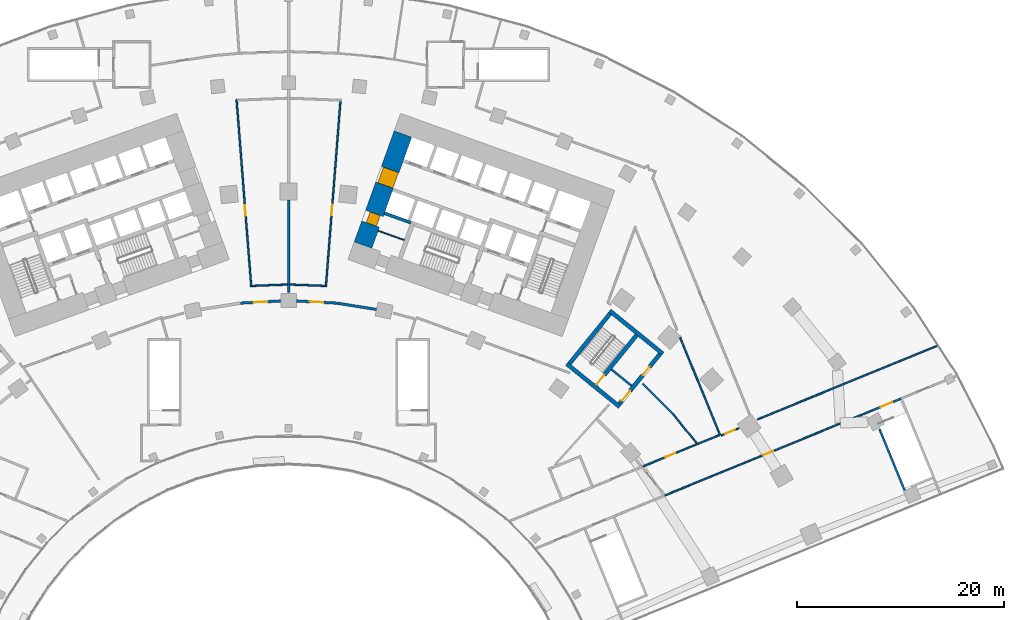
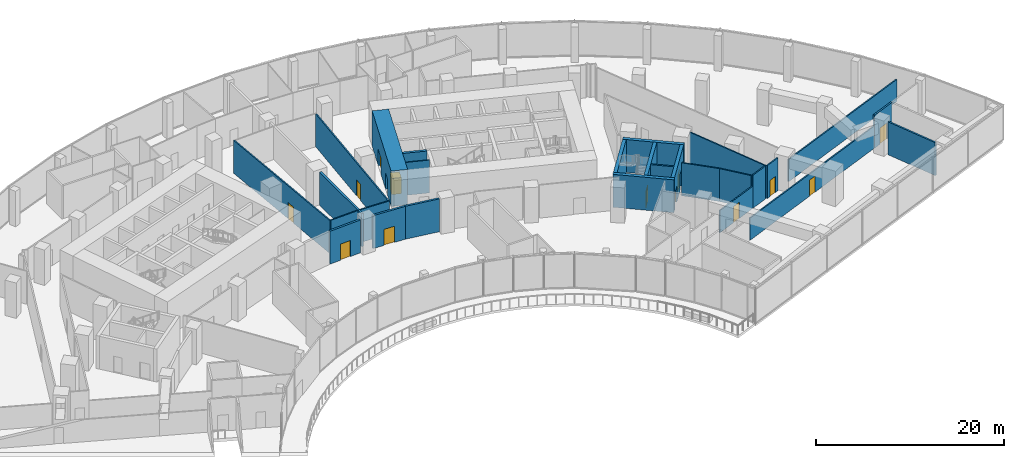
# One storey, part 26 of 33: 28 walls, 13 doors, 13 openings.
"""IFC4 building model written with IfcOpenShell, lengths in metres."""

from ifc_helpers import new_model, si_unit, direction, frame, frame_2d, origin, place, context, subcontext, project, spatial, rectangle, extrude, material, layer, layer_set, type_object, element, fill, save


model = new_model("IFC4")

# Units and contexts
model_context = context("Model", 3, precision=1e-05, world=origin(), true_north=direction((0.0, 1.0)))
body_context = subcontext(model_context, "Body", "Model", "MODEL_VIEW")
ifc_project = project(units=[si_unit("LENGTHUNIT", "METRE"), si_unit("AREAUNIT", "SQUARE_METRE"), si_unit("VOLUMEUNIT", "CUBIC_METRE"), si_unit("PLANEANGLEUNIT", "RADIAN"), si_unit("MASSUNIT", "GRAM", prefix="KILO")], contexts=[model_context])

# Site, building, storey
site_placement = place(None, origin())
site = spatial("IfcSite", under=ifc_project, at=site_placement, CompositionType="ELEMENT")
building_placement = place(site_placement, origin())
building = spatial("IfcBuilding", under=site, at=building_placement, Name="Stone Belt Terrace Tower", CompositionType="ELEMENT")
storey_placement = place(building_placement, frame((0.0, 0.0, 25.39990234375)))
storey = spatial("IfcBuildingStorey", under=building, at=storey_placement, Name="L05", CompositionType="ELEMENT", Elevation=25.39990234375)

# Walls
ifc_material_1 = material(Name="Concrete B30", Category="concrete")
ifc_layer_1 = layer(ifc_material_1, 0.25)
ifc_layer_set_1 = layer_set([ifc_layer_1], Name="Compartment wall 250")
wall_type_1 = type_object("IfcWallType", Name="Compartment wall 250", PredefinedType="SOLIDWALL", material=ifc_layer_set_1)
wall_1_placement = place(storey_placement, frame((0.0, 46.0, 0.0), z_axis=(0.0, 0.0, 1.0), x_axis=(0.0, 1.0, 0.0)))
element("IfcWall", 1, at=wall_1_placement, inside=storey, type_object=wall_type_1, Name="Compartment wall L05 8", PredefinedType="SOLIDWALL", context=body_context, shape_type="SweptSolid", body=[
    extrude(rectangle(XDim=8.155029296875, YDim=0.25, at=frame_2d((4.07763671875, 0.0))), origin(), (0.0, 0.0, 1.0), 4.280029296875),
])
ifc_material_2 = material(Name="Plasterboard partition")
ifc_layer_2 = layer(ifc_material_2, 0.10009765625)
ifc_layer_set_2 = layer_set([ifc_layer_2], Name="Core partition 100")
wall_type_2 = type_object("IfcWallType", Name="Core partition 100", PredefinedType="PARTITIONING", material=ifc_layer_set_2)
wall_2_placement = place(storey_placement, frame((11.187744140625, 50.2822265625, 0.0), z_axis=(0.0, 0.0, 1.0), x_axis=(-0.940949642365, 0.338546555931, 0.0)))
element("IfcWall", 2, at=wall_2_placement, inside=storey, type_object=wall_type_2, Name="Core B wall", PredefinedType="PARTITIONING", context=body_context, shape_type="SweptSolid", body=[
    extrude(rectangle(XDim=2.699951171875, YDim=0.10009765625, at=frame_2d((1.35009765625, 0.0))), origin(), (0.0, 0.0, 1.0), 4.280029296875),
])

# Wall, openings, doors
ifc_material_3 = material(Name="Concrete B80", Category="concrete")
ifc_layer_3 = layer(ifc_material_3, 1.800048828125)
ifc_layer_set_3 = layer_set([ifc_layer_3], Name="Core wall 1800 B80")
wall_type_3 = type_object("IfcWallType", Name="Core wall 1800 B80", PredefinedType="SHEAR", material=ifc_layer_set_3)
wall_3_placement = place(storey_placement, frame((7.19091796875, 49.8076171875, 0.0), z_axis=(0.0, 0.0, 1.0), x_axis=(0.338632255135, 0.940918804033, 0.0)))
wall_3 = element("IfcWall", 3, at=wall_3_placement, inside=storey, type_object=wall_type_3, Name="Core B wall end_a L05", PredefinedType="SHEAR", context=body_context, shape_type="SweptSolid", body=[
    extrude(rectangle(XDim=11.39990234375, YDim=1.800048828125, at=frame_2d((5.699951171875, 0.0))), origin(), (0.0, 0.0, 1.0), 4.60009765625),
])
opening_1_placement = place(wall_3_placement, frame((6.14990234375, 0.0, 0.0)))
opening_1 = element("IfcOpeningElement", 4, at=opening_1_placement, cuts=wall_3, Name="Opening L05-C11", PredefinedType="OPENING", context=body_context, shape_type="SweptSolid", body=[
    extrude(rectangle(XDim=1.60009765625, YDim=2.10009765625, at=frame_2d((0.800048828125, 1.050048828125))), frame((0.0, 0.909912109375, 0.0), z_axis=(0.0, -1.0, 0.0), x_axis=(1.0, 0.0, 0.0)), (0.0, 0.0, 1.0), 1.820068359375),
])
opening_2_placement = place(wall_3_placement, frame((2.14990234375, 0.0, 0.0)))
opening_2 = element("IfcOpeningElement", 5, at=opening_2_placement, cuts=wall_3, Name="Opening L05-C17", PredefinedType="OPENING", context=body_context, shape_type="SweptSolid", body=[
    extrude(rectangle(XDim=1.10009765625, YDim=2.10009765625, at=frame_2d((0.550048828125, 1.050048828125))), frame((0.0, 0.909912109375, 0.0), z_axis=(0.0, -1.0, 0.0), x_axis=(1.0, 0.0, 0.0)), (0.0, 0.0, 1.0), 1.820068359375),
])
ifc_material_4 = material(Name="Timber door leaf", Category="wood")
door_type_1 = type_object("IfcDoorType", Name="Core room door 1100", OperationType="SINGLE_SWING_LEFT", PredefinedType="DOOR", material=ifc_material_4)
door_1_placement = place(opening_2_placement, origin())
door_1 = element("IfcDoor", 6, at=door_1_placement, inside=storey, type_object=door_type_1, Name="Door to Accessible WC core B", OperationType="SINGLE_SWING_RIGHT", OverallHeight=2.10009765625, OverallWidth=1.10009765625, PredefinedType="DOOR", context=body_context, shape_type="SweptSolid", body=[
    extrude(rectangle(XDim=1.10009765625, YDim=2.10009765625, at=frame_2d((0.550048828125, 1.050048828125))), frame((0.0, 0.44482421875, 0.0), z_axis=(0.0, -1.0, 0.0), x_axis=(1.0, 0.0, 0.0)), (0.0, 0.0, 1.0), 1.050048828125),
])
fill(opening_2, door_1)
ifc_material_5 = material(Name="Glazed aluminium door leaf", Category="aluminium")
door_type_2 = type_object("IfcDoorType", Name="Lift lobby entrance door 1600", OperationType="DOUBLE_DOOR_SINGLE_SWING", PredefinedType="DOOR", material=ifc_material_5)
door_2_placement = place(opening_1_placement, origin())
door_2 = element("IfcDoor", 7, at=door_2_placement, inside=storey, type_object=door_type_2, Name="Lift lobby entrance door core B", OperationType="DOUBLE_DOOR_SINGLE_SWING", OverallHeight=2.10009765625, OverallWidth=1.60009765625, PredefinedType="DOOR", context=body_context, shape_type="SweptSolid", body=[
    extrude(rectangle(XDim=1.60009765625, YDim=2.10009765625, at=frame_2d((0.800048828125, 1.050048828125))), frame((0.0, 0.69482421875, 0.0), z_axis=(0.0, -1.0, 0.0), x_axis=(1.0, 0.0, 0.0)), (0.0, 0.0, 1.0), 1.550048828125),
])
fill(opening_1, door_2)

# Wall, opening, door
ifc_material_6 = material(Name="Fire-resistant glazing in steel frame", Category="steel")
ifc_layer_4 = layer(ifc_material_6, 0.25)
ifc_layer_set_4 = layer_set([ifc_layer_4], Name="Glazed compartment fire screen 250")
wall_type_4 = type_object("IfcWallType", Name="Glazed compartment fire screen 250", PredefinedType="PARTITIONING", material=ifc_layer_set_4)
wall_4_placement = place(storey_placement, frame((-4.6435546875, 44.2001953125, 0.0), z_axis=(0.0, 0.0, 1.0), x_axis=(0.998555259213, 0.053734479607, 0.0)))
wall_4 = element("IfcWall", 8, at=wall_4_placement, inside=storey, type_object=wall_type_4, Name="Compartment fire screen L05 5", PredefinedType="PARTITIONING", context=body_context, shape_type="SweptSolid", body=[
    extrude(rectangle(XDim=3.880126953125, YDim=0.25, at=frame_2d((1.93994140625, 0.0))), origin(), (0.0, 0.0, 1.0), 4.280029296875),
])
opening_3_placement = place(wall_4_placement, frame((1.2900390625, 0.0, 0.0)))
opening_3 = element("IfcOpeningElement", 9, at=opening_3_placement, cuts=wall_4, Name="Opening L05-P36", PredefinedType="OPENING", context=body_context, shape_type="SweptSolid", body=[
    extrude(rectangle(XDim=1.300048828125, YDim=2.10009765625, at=frame_2d((0.64990234375, 1.050048828125))), frame((0.0, 0.135009765625, 0.0), z_axis=(0.0, -1.0, 0.0), x_axis=(1.0, 0.0, 0.0)), (0.0, 0.0, 1.0), 0.27001953125),
])
ifc_material_7 = material(Name="Steel framed fire door leaf", Category="steel")
door_type_3 = type_object("IfcDoorType", Name="Fire door 1300 x 2100 EI 60", OperationType="SINGLE_SWING_LEFT", PredefinedType="DOOR", material=ifc_material_7)
door_3_placement = place(opening_3_placement, origin())
door_3 = element("IfcDoor", 10, at=door_3_placement, inside=storey, type_object=door_type_3, Name="Fire door 1300 x 2100 EI 60", OperationType="SINGLE_SWING_LEFT", OverallHeight=2.10009765625, OverallWidth=1.300048828125, PredefinedType="DOOR", context=body_context, shape_type="SweptSolid", body=[
    extrude(rectangle(XDim=1.300048828125, YDim=2.10009765625, at=frame_2d((0.64990234375, 1.050048828125))), frame((0.0, 0.02490234375, 0.0), z_axis=(0.0, -1.0, 0.0), x_axis=(1.0, 0.0, 0.0)), (0.0, 0.0, 1.0), 0.050048828125),
])
fill(opening_3, door_3)

# Wall
wall_5_placement = place(storey_placement, frame((0.0, 45.215087890625, 0.0), z_axis=(0.0, 0.0, 1.0), x_axis=(0.0, 1.0, 0.0)))
element("IfcWall", 11, at=wall_5_placement, inside=storey, type_object=wall_type_4, Name="Compartment fire screen L05 6", PredefinedType="PARTITIONING", context=body_context, shape_type="SweptSolid", body=[
    extrude(rectangle(XDim=0.784912109375, YDim=0.25, at=frame_2d((0.392578125, 0.0))), origin(), (0.0, 0.0, 1.0), 4.280029296875),
])

# Wall, opening, door
wall_6_placement = place(storey_placement, frame((0.76904296875, 44.40869140625, 0.0), z_axis=(0.0, 0.0, 1.0), x_axis=(0.998555259213, -0.053734479607, 0.0)))
wall_6 = element("IfcWall", 12, at=wall_6_placement, inside=storey, type_object=wall_type_4, Name="Compartment fire screen L05 7", PredefinedType="PARTITIONING", context=body_context, shape_type="SweptSolid", body=[
    extrude(rectangle(XDim=3.880126953125, YDim=0.25, at=frame_2d((1.93994140625, 0.0))), origin(), (0.0, 0.0, 1.0), 4.280029296875),
])
opening_4_placement = place(wall_6_placement, frame((1.2900390625, 0.0, 0.0)))
opening_4 = element("IfcOpeningElement", 13, at=opening_4_placement, cuts=wall_6, Name="Opening L05-P35", PredefinedType="OPENING", context=body_context, shape_type="SweptSolid", body=[
    extrude(rectangle(XDim=1.300048828125, YDim=2.10009765625, at=frame_2d((0.64990234375, 1.050048828125))), frame((0.0, 0.135009765625, 0.0), z_axis=(0.0, -1.0, 0.0), x_axis=(1.0, 0.0, 0.0)), (0.0, 0.0, 1.0), 0.27001953125),
])
door_4_placement = place(opening_4_placement, origin())
door_4 = element("IfcDoor", 14, at=door_4_placement, inside=storey, type_object=door_type_3, Name="Fire door 1300 x 2100 EI 60", OperationType="SINGLE_SWING_LEFT", OverallHeight=2.10009765625, OverallWidth=1.300048828125, PredefinedType="DOOR", context=body_context, shape_type="SweptSolid", body=[
    extrude(rectangle(XDim=1.300048828125, YDim=2.10009765625, at=frame_2d((0.64990234375, 1.050048828125))), frame((0.0, 0.02490234375, 0.0), z_axis=(0.0, -1.0, 0.0), x_axis=(1.0, 0.0, 0.0)), (0.0, 0.0, 1.0), 0.050048828125),
])
fill(opening_4, door_4)

# Walls
wall_7_placement = place(storey_placement, frame((4.656494140625, 44.198974609375, 0.0), z_axis=(0.0, 0.0, 1.0), x_axis=(0.98758230791, -0.157102466888, 0.0)))
element("IfcWall", 15, at=wall_7_placement, inside=storey, type_object=wall_type_4, Name="Compartment fire screen L05 11", PredefinedType="PARTITIONING", context=body_context, shape_type="SweptSolid", body=[
    extrude(rectangle(XDim=3.87109375, YDim=0.25, at=frame_2d((1.935546875, 0.0))), origin(), (0.0, 0.0, 1.0), 4.280029296875),
])
ifc_layer_5 = layer(ifc_material_3, 0.300048828125)
ifc_layer_set_5 = layer_set([ifc_layer_5], Name="Lift shaft wall 300")
wall_type_5 = type_object("IfcWallType", Name="Lift shaft wall 300", PredefinedType="SHEAR", material=ifc_layer_set_5)
wall_8_placement = place(storey_placement, frame((11.797119140625, 51.975830078125, 0.0), z_axis=(0.0, 0.0, 1.0), x_axis=(-0.940910465161, 0.33865542451, 0.0)))
element("IfcWall", 16, at=wall_8_placement, inside=storey, type_object=wall_type_5, Name="Core B wall", PredefinedType="SHEAR", context=body_context, shape_type="SweptSolid", body=[
    extrude(rectangle(XDim=2.69970703125, YDim=0.300048828125, at=frame_2d((1.349853515625, 0.0))), origin(), (0.0, 0.0, 1.0), 4.280029296875),
])

# Wall, opening, door
ifc_material_8 = material(Name="Gypsum board on steel stud partition", Category="steel")
ifc_layer_6 = layer(ifc_material_8, 0.14990234375)
ifc_layer_set_6 = layer_set([ifc_layer_6], Name="Podium partition 150")
wall_type_6 = type_object("IfcWallType", Name="Podium partition 150", PredefinedType="PARTITIONING", material=ifc_layer_set_6)
wall_9_placement = place(storey_placement, frame((-5.02587890625, 63.874755859375, 0.0), z_axis=(0.0, 0.0, 1.0), x_axis=(0.078360103875, -0.996925119616, 0.0)))
wall_9 = element("IfcWall", 17, at=wall_9_placement, inside=storey, type_object=wall_type_6, Name="Podium partition 150", PredefinedType="PARTITIONING", context=body_context, shape_type="SweptSolid", body=[
    extrude(rectangle(XDim=18.1455078125, YDim=0.14990234375, at=frame_2d((9.07275390625, 0.0))), origin(), (0.0, 0.0, 1.0), 4.280029296875),
])
opening_5_placement = place(wall_9_placement, frame((10.25732421875, 0.0, 0.0)))
opening_5 = element("IfcOpeningElement", 18, at=opening_5_placement, cuts=wall_9, Name="Opening L05-P17", PredefinedType="OPENING", context=body_context, shape_type="SweptSolid", body=[
    extrude(rectangle(XDim=1.0, YDim=2.10009765625, at=frame_2d((0.5, 1.050048828125))), frame((0.0, 0.0849609375, 0.0), z_axis=(0.0, -1.0, 0.0), x_axis=(1.0, 0.0, 0.0)), (0.0, 0.0, 1.0), 0.169921875),
])
ifc_material_9 = material(Name="Steel framed door leaf", Category="steel")
door_type_4 = type_object("IfcDoorType", Name="Podium door single 1000", OperationType="SINGLE_SWING_LEFT", PredefinedType="DOOR", material=ifc_material_9)
door_5_placement = place(opening_5_placement, origin())
door_5 = element("IfcDoor", 19, at=door_5_placement, inside=storey, type_object=door_type_4, Name="Podium door single 1000", OperationType="SINGLE_SWING_LEFT", OverallHeight=2.10009765625, OverallWidth=1.0, PredefinedType="DOOR", context=body_context, shape_type="SweptSolid", body=[
    extrude(rectangle(XDim=1.0, YDim=2.10009765625, at=frame_2d((0.5, 1.050048828125))), frame((0.0, 0.02490234375, 0.0), z_axis=(0.0, -1.0, 0.0), x_axis=(1.0, 0.0, 0.0)), (0.0, 0.0, 1.0), 0.050048828125),
])
fill(opening_5, door_5)

# Walls
wall_10_placement = place(storey_placement, frame((-3.534912109375, 45.86279296875, 0.0), z_axis=(0.0, 0.0, 1.0), x_axis=(0.999247905954, 0.038776570847, 0.0)))
element("IfcWall", 20, at=wall_10_placement, inside=storey, type_object=wall_type_6, Name="Podium partition 150", PredefinedType="PARTITIONING", context=body_context, shape_type="SweptSolid", body=[
    extrude(rectangle(XDim=3.41259765625, YDim=0.14990234375, at=frame_2d((1.706298828125, 0.0))), origin(), (0.0, 0.0, 1.0), 4.280029296875),
])
wall_11_placement = place(storey_placement, frame((0.125, 45.9951171875, 0.0), z_axis=(0.0, 0.0, 1.0), x_axis=(0.999250202395, -0.038717347713, 0.0)))
element("IfcWall", 21, at=wall_11_placement, inside=storey, type_object=wall_type_6, Name="Podium partition 150", PredefinedType="PARTITIONING", context=body_context, shape_type="SweptSolid", body=[
    extrude(rectangle(XDim=3.562744140625, YDim=0.14990234375, at=frame_2d((1.78125, 0.0))), origin(), (0.0, 0.0, 1.0), 4.280029296875),
])

# Wall, opening, door
wall_12_placement = place(storey_placement, frame((3.615966796875, 45.934814453125, 0.0), z_axis=(0.0, 0.0, 1.0), x_axis=(0.078351480624, 0.996925797381, 0.0)))
wall_12 = element("IfcWall", 22, at=wall_12_placement, inside=storey, type_object=wall_type_6, Name="Podium partition 150", PredefinedType="PARTITIONING", context=body_context, shape_type="SweptSolid", body=[
    extrude(rectangle(XDim=17.84521484375, YDim=0.14990234375, at=frame_2d((8.922607421875, 0.0))), origin(), (0.0, 0.0, 1.0), 4.280029296875),
])
opening_6_placement = place(wall_12_placement, frame((6.76806640625, 0.0, 0.0)))
opening_6 = element("IfcOpeningElement", 23, at=opening_6_placement, cuts=wall_12, Name="Opening L05-P18", PredefinedType="OPENING", context=body_context, shape_type="SweptSolid", body=[
    extrude(rectangle(XDim=1.0, YDim=2.10009765625, at=frame_2d((0.5, 1.050048828125))), frame((0.0, 0.0849609375, 0.0), z_axis=(0.0, -1.0, 0.0), x_axis=(1.0, 0.0, 0.0)), (0.0, 0.0, 1.0), 0.169921875),
])
door_6_placement = place(opening_6_placement, origin())
door_6 = element("IfcDoor", 24, at=door_6_placement, inside=storey, type_object=door_type_4, Name="Podium door single 1000", OperationType="SINGLE_SWING_RIGHT", OverallHeight=2.10009765625, OverallWidth=1.0, PredefinedType="DOOR", context=body_context, shape_type="SweptSolid", body=[
    extrude(rectangle(XDim=1.0, YDim=2.10009765625, at=frame_2d((0.5, 1.050048828125))), frame((0.0, 0.02490234375, 0.0), z_axis=(0.0, -1.0, 0.0), x_axis=(1.0, 0.0, 0.0)), (0.0, 0.0, 1.0), 0.050048828125),
])
fill(opening_6, door_6)

# Wall
wall_13_placement = place(storey_placement, frame((37.822265625, 40.882080078125, 0.0), z_axis=(0.0, 0.0, 1.0), x_axis=(0.379243967023, -0.925296716452, 0.0)))
element("IfcWall", 25, at=wall_13_placement, inside=storey, type_object=wall_type_6, Name="Podium partition 150", PredefinedType="PARTITIONING", context=body_context, shape_type="SweptSolid", body=[
    extrude(rectangle(XDim=10.171875, YDim=0.14990234375, at=frame_2d((5.0859375, 0.0))), origin(), (0.0, 0.0, 1.0), 4.280029296875),
])

# Wall, opening, door
wall_14_placement = place(storey_placement, frame((34.222900390625, 28.418212890625, 0.0), z_axis=(0.0, 0.0, 1.0), x_axis=(0.92511986105, 0.379675180503, 0.0)))
wall_14 = element("IfcWall", 26, at=wall_14_placement, inside=storey, type_object=wall_type_6, Name="Podium partition 150", PredefinedType="PARTITIONING", context=body_context, shape_type="SweptSolid", body=[
    extrude(rectangle(XDim=5.771728515625, YDim=0.14990234375, at=frame_2d((2.8857421875, 0.0))), origin(), (0.0, 0.0, 1.0), 2.880126953125),
])
opening_7_placement = place(wall_14_placement, frame((2.375, 0.0, 0.0)))
opening_7 = element("IfcOpeningElement", 27, at=opening_7_placement, cuts=wall_14, Name="Opening L05-P33", PredefinedType="OPENING", context=body_context, shape_type="SweptSolid", body=[
    extrude(rectangle(XDim=1.0, YDim=2.10009765625, at=frame_2d((0.5, 1.050048828125))), frame((0.0, 0.0849609375, 0.0), z_axis=(0.0, -1.0, 0.0), x_axis=(1.0, 0.0, 0.0)), (0.0, 0.0, 1.0), 0.169921875),
])
door_7_placement = place(opening_7_placement, origin())
door_7 = element("IfcDoor", 28, at=door_7_placement, inside=storey, type_object=door_type_4, Name="Podium door single 1000", OperationType="SINGLE_SWING_LEFT", OverallHeight=2.10009765625, OverallWidth=1.0, PredefinedType="DOOR", context=body_context, shape_type="SweptSolid", body=[
    extrude(rectangle(XDim=1.0, YDim=2.10009765625, at=frame_2d((0.5, 1.050048828125))), frame((0.0, 0.02490234375, 0.0), z_axis=(0.0, -1.0, 0.0), x_axis=(1.0, 0.0, 0.0)), (0.0, 0.0, 1.0), 0.050048828125),
])
fill(opening_7, door_7)

# Wall
wall_15_placement = place(storey_placement, frame((34.199951171875, 36.419921875, 0.0), z_axis=(0.0, 0.0, 1.0), x_axis=(0.707135969718, -0.70707759145, 0.0)))
element("IfcWall", 29, at=wall_15_placement, inside=storey, type_object=wall_type_6, Name="Podium partition 150", PredefinedType="PARTITIONING", context=body_context, shape_type="SweptSolid", body=[
    extrude(rectangle(XDim=4.18212890625, YDim=0.14990234375, at=frame_2d((2.091064453125, 0.0))), origin(), (0.0, 0.0, 1.0), 4.280029296875),
])

# Wall, opening, door
wall_16_placement = place(storey_placement, frame((36.300048828125, 25.60009765625, 0.0), z_axis=(0.0, 0.0, 1.0), x_axis=(0.925327227709, 0.379169515733, 0.0)))
wall_16 = element("IfcWall", 30, at=wall_16_placement, inside=storey, type_object=wall_type_6, Name="Podium partition 150", PredefinedType="PARTITIONING", context=body_context, shape_type="SweptSolid", body=[
    extrude(rectangle(XDim=21.678955078125, YDim=0.14990234375, at=frame_2d((10.83935546875, 0.0))), origin(), (0.0, 0.0, 1.0), 2.880126953125),
])
opening_8_placement = place(wall_16_placement, frame((10.33935546875, 0.0, 0.0)))
opening_8 = element("IfcOpeningElement", 31, at=opening_8_placement, cuts=wall_16, Name="Opening L05-P23", PredefinedType="OPENING", context=body_context, shape_type="SweptSolid", body=[
    extrude(rectangle(XDim=1.0, YDim=2.10009765625, at=frame_2d((0.5, 1.050048828125))), frame((0.0, 0.0849609375, 0.0), z_axis=(0.0, -1.0, 0.0), x_axis=(1.0, 0.0, 0.0)), (0.0, 0.0, 1.0), 0.169921875),
])
door_8_placement = place(opening_8_placement, origin())
door_8 = element("IfcDoor", 32, at=door_8_placement, inside=storey, type_object=door_type_4, Name="Podium door single 1000", OperationType="SINGLE_SWING_LEFT", OverallHeight=2.10009765625, OverallWidth=1.0, PredefinedType="DOOR", context=body_context, shape_type="SweptSolid", body=[
    extrude(rectangle(XDim=1.0, YDim=2.10009765625, at=frame_2d((0.5, 1.050048828125))), frame((0.0, 0.02490234375, 0.0), z_axis=(0.0, -1.0, 0.0), x_axis=(1.0, 0.0, 0.0)), (0.0, 0.0, 1.0), 0.050048828125),
])
fill(opening_8, door_8)

# Walls
wall_17_placement = place(storey_placement, frame((37.16259765625, 33.456787109375, 0.0), z_axis=(0.0, 0.0, 1.0), x_axis=(0.628977760393, -0.777423293278, 0.0)))
element("IfcWall", 33, at=wall_17_placement, inside=storey, type_object=wall_type_6, Name="Podium partition 150", PredefinedType="PARTITIONING", context=body_context, shape_type="SweptSolid", body=[
    extrude(rectangle(XDim=3.60009765625, YDim=0.14990234375, at=frame_2d((1.800048828125, 0.0))), origin(), (0.0, 0.0, 1.0), 4.280029296875),
])
wall_18_placement = place(storey_placement, frame((39.561279296875, 30.61328125, 0.0), z_axis=(0.0, 0.0, 1.0), x_axis=(0.925552237301, 0.378619936119, 0.0)))
element("IfcWall", 34, at=wall_18_placement, inside=storey, type_object=wall_type_6, Name="Podium partition 150", PredefinedType="PARTITIONING", context=body_context, shape_type="SweptSolid", body=[
    extrude(rectangle(XDim=2.209228515625, YDim=0.14990234375, at=frame_2d((1.1044921875, 0.0))), origin(), (0.0, 0.0, 1.0), 4.280029296875),
])

# Wall, opening, door
wall_19_placement = place(storey_placement, frame((41.779296875, 31.408447265625, 0.0), z_axis=(0.0, 0.0, 1.0), x_axis=(0.925419228922, 0.378944917821, 0.0)))
wall_19 = element("IfcWall", 35, at=wall_19_placement, inside=storey, type_object=wall_type_6, Name="Podium partition 150", PredefinedType="PARTITIONING", context=body_context, shape_type="SweptSolid", body=[
    extrude(rectangle(XDim=1.858154296875, YDim=0.14990234375, at=frame_2d((0.92919921875, 0.0))), origin(), (0.0, 0.0, 1.0), 4.280029296875),
])
opening_9_placement = place(wall_19_placement, frame((0.42919921875, 0.0, 0.0)))
opening_9 = element("IfcOpeningElement", 36, at=opening_9_placement, cuts=wall_19, Name="Opening L05-P40", PredefinedType="OPENING", context=body_context, shape_type="SweptSolid", body=[
    extrude(rectangle(XDim=1.0, YDim=2.10009765625, at=frame_2d((0.5, 1.050048828125))), frame((0.0, 0.0849609375, 0.0), z_axis=(0.0, -1.0, 0.0), x_axis=(1.0, 0.0, 0.0)), (0.0, 0.0, 1.0), 0.169921875),
])
door_9_placement = place(opening_9_placement, origin())
door_9 = element("IfcDoor", 37, at=door_9_placement, inside=storey, type_object=door_type_4, Name="Podium door single 1000", OperationType="SINGLE_SWING_RIGHT", OverallHeight=2.10009765625, OverallWidth=1.0, PredefinedType="DOOR", context=body_context, shape_type="SweptSolid", body=[
    extrude(rectangle(XDim=1.0, YDim=2.10009765625, at=frame_2d((0.5, 1.050048828125))), frame((0.0, 0.02490234375, 0.0), z_axis=(0.0, -1.0, 0.0), x_axis=(1.0, 0.0, 0.0)), (0.0, 0.0, 1.0), 0.050048828125),
])
fill(opening_9, door_9)

# Wall
wall_20_placement = place(storey_placement, frame((45.29345703125, 32.964111328125, 0.0), z_axis=(0.0, 0.0, 1.0), x_axis=(0.925299264419, 0.379237750318, 0.0)))
element("IfcWall", 38, at=wall_20_placement, inside=storey, type_object=wall_type_6, Name="Podium partition 150", PredefinedType="PARTITIONING", context=body_context, shape_type="SweptSolid", body=[
    extrude(rectangle(XDim=18.887451171875, YDim=0.14990234375, at=frame_2d((9.44384765625, 0.0))), origin(), (0.0, 0.0, 1.0), 2.880126953125),
])

# Wall, opening, door
ifc_layer_7 = layer(ifc_material_1, 0.199951171875)
ifc_layer_set_7 = layer_set([ifc_layer_7], Name="Podium stair and shaft wall 200")
wall_type_7 = type_object("IfcWallType", Name="Podium stair and shaft wall 200", PredefinedType="SOLIDWALL", material=ifc_layer_set_7)
wall_21_placement = place(storey_placement, frame((56.360107421875, 33.820068359375, 0.0), z_axis=(0.0, 0.0, 1.0), x_axis=(0.924815674246, 0.380415521068, 0.0)))
wall_21 = element("IfcWall", 39, at=wall_21_placement, inside=storey, type_object=wall_type_7, Name="Podium stair and shaft wall 200", PredefinedType="SOLIDWALL", context=body_context, shape_type="SweptSolid", body=[
    extrude(rectangle(XDim=3.049072265625, YDim=0.199951171875, at=frame_2d((1.5244140625, 0.0))), origin(), (0.0, 0.0, 1.0), 4.280029296875),
])
opening_10_placement = place(wall_21_placement, frame((0.924560546875, 0.0, 0.0)))
opening_10 = element("IfcOpeningElement", 40, at=opening_10_placement, cuts=wall_21, Name="Opening L05-P04", PredefinedType="OPENING", context=body_context, shape_type="SweptSolid", body=[
    extrude(rectangle(XDim=1.199951171875, YDim=2.10009765625, at=frame_2d((0.60009765625, 1.050048828125))), frame((0.0, 0.10986328125, 0.0), z_axis=(0.0, -1.0, 0.0), x_axis=(1.0, 0.0, 0.0)), (0.0, 0.0, 1.0), 0.219970703125),
])
door_type_5 = type_object("IfcDoorType", Name="Podium door fire stair 1200", OperationType="SINGLE_SWING_LEFT", PredefinedType="DOOR", material=ifc_material_9)
door_10_placement = place(opening_10_placement, origin())
door_10 = element("IfcDoor", 41, at=door_10_placement, inside=storey, type_object=door_type_5, Name="Podium door fire stair 1200", OperationType="SINGLE_SWING_RIGHT", OverallHeight=2.10009765625, OverallWidth=1.199951171875, PredefinedType="DOOR", context=body_context, shape_type="SweptSolid", body=[
    extrude(rectangle(XDim=1.199951171875, YDim=2.10009765625, at=frame_2d((0.60009765625, 1.050048828125))), frame((0.0, 0.02490234375, 0.0), z_axis=(0.0, -1.0, 0.0), x_axis=(1.0, 0.0, 0.0)), (0.0, 0.0, 1.0), 0.050048828125),
])
fill(opening_10, door_10)

# Walls
wall_22_placement = place(storey_placement, frame((57.094482421875, 32.02880859375, 0.0), z_axis=(0.0, 0.0, 1.0), x_axis=(0.379309770486, -0.92526974338, 0.0)))
element("IfcWall", 42, at=wall_22_placement, inside=storey, type_object=wall_type_7, Name="Podium stair and shaft wall 200", PredefinedType="SOLIDWALL", context=body_context, shape_type="SweptSolid", body=[
    extrude(rectangle(XDim=6.388916015625, YDim=0.199951171875, at=frame_2d((3.1943359375, 0.0))), origin(), (0.0, 0.0, 1.0), 4.280029296875),
])
ifc_material_10 = material(Name="Concrete masonry block", Category="masonry")
ifc_layer_8 = layer(ifc_material_10, 0.199951171875)
ifc_layer_set_8 = layer_set([ifc_layer_8], Name="Rated lobby wall 200")
wall_type_8 = type_object("IfcWallType", Name="Rated lobby wall 200", PredefinedType="PARTITIONING", material=ifc_layer_set_8)
wall_23_placement = place(storey_placement, frame((31.190673828125, 37.79296875, 0.0), z_axis=(0.0, 0.0, 1.0), x_axis=(0.776370830301, -0.630276394813, 0.0)))
element("IfcWall", 43, at=wall_23_placement, inside=storey, type_object=wall_type_8, Name="Exit stair ST3B wall", PredefinedType="PARTITIONING", context=body_context, shape_type="SweptSolid", body=[
    extrude(rectangle(XDim=2.5, YDim=0.199951171875, at=frame_2d((1.25, 0.0))), origin(), (0.0, 0.0, 1.0), 4.280029296875),
])
ifc_layer_9 = layer(ifc_material_3, 0.39990234375)
ifc_layer_set_9 = layer_set([ifc_layer_9], Name="Stair enclosure wall 400")
wall_type_9 = type_object("IfcWallType", Name="Stair enclosure wall 400", PredefinedType="SHEAR", material=ifc_layer_set_9)
wall_24_placement = place(storey_placement, frame((26.868408203125, 38.3388671875, 0.0), z_axis=(0.0, 0.0, 1.0), x_axis=(0.776428452498, -0.630205409491, 0.0)))
element("IfcWall", 44, at=wall_24_placement, inside=storey, type_object=wall_type_9, Name="Exit stair ST3B wall", PredefinedType="SHEAR", context=body_context, shape_type="SweptSolid", body=[
    extrude(rectangle(XDim=6.60009765625, YDim=0.39990234375, at=frame_2d((3.300048828125, 0.0))), origin(), (0.0, 0.0, 1.0), 4.280029296875),
])
wall_25_placement = place(storey_placement, frame((31.02783203125, 43.46337890625, 0.0), z_axis=(0.0, 0.0, 1.0), x_axis=(0.776413760801, -0.630223509589, 0.0)))
element("IfcWall", 45, at=wall_25_placement, inside=storey, type_object=wall_type_9, Name="Exit stair ST3B wall", PredefinedType="SHEAR", context=body_context, shape_type="SweptSolid", body=[
    extrude(rectangle(XDim=6.599853515625, YDim=0.39990234375, at=frame_2d((3.2998046875, 0.0))), origin(), (0.0, 0.0, 1.0), 4.280029296875),
])
wall_26_placement = place(storey_placement, frame((27.149658203125, 38.3681640625, 0.0), z_axis=(0.0, 0.0, 1.0), x_axis=(0.630211551729, 0.776423466973, 0.0)))
element("IfcWall", 46, at=wall_26_placement, inside=storey, type_object=wall_type_9, Name="Exit stair ST3B wall", PredefinedType="SHEAR", context=body_context, shape_type="SweptSolid", body=[
    extrude(rectangle(XDim=6.199951171875, YDim=0.39990234375, at=frame_2d((3.10009765625, 0.0))), origin(), (0.0, 0.0, 1.0), 4.280029296875),
])

# Wall, openings, doors
wall_27_placement = place(storey_placement, frame((31.963623046875, 34.460693359375, 0.0), z_axis=(0.0, 0.0, 1.0), x_axis=(0.630192283849, 0.776439106033, 0.0)))
wall_27 = element("IfcWall", 47, at=wall_27_placement, inside=storey, type_object=wall_type_9, Name="Exit stair ST3B wall", PredefinedType="SHEAR", context=body_context, shape_type="SweptSolid", body=[
    extrude(rectangle(XDim=6.199951171875, YDim=0.39990234375, at=frame_2d((3.10009765625, 0.0))), origin(), (0.0, 0.0, 1.0), 4.280029296875),
])
opening_11_placement = place(wall_27_placement, frame((0.39990234375, 0.0, 0.0)))
opening_11 = element("IfcOpeningElement", 48, at=opening_11_placement, cuts=wall_27, Name="Opening L05-C23", PredefinedType="OPENING", context=body_context, shape_type="SweptSolid", body=[
    extrude(rectangle(XDim=1.199951171875, YDim=2.10009765625, at=frame_2d((0.60009765625, 1.050048828125))), frame((0.0, 0.2099609375, 0.0), z_axis=(0.0, -1.0, 0.0), x_axis=(1.0, 0.0, 0.0)), (0.0, 0.0, 1.0), 0.419921875),
])
opening_12_placement = place(wall_27_placement, frame((3.60009765625, 0.0, 0.0)))
opening_12 = element("IfcOpeningElement", 49, at=opening_12_placement, cuts=wall_27, Name="Opening L05-C24", PredefinedType="OPENING", context=body_context, shape_type="SweptSolid", body=[
    extrude(rectangle(XDim=1.0, YDim=2.10009765625, at=frame_2d((0.5, 1.050048828125))), frame((0.0, 0.2099609375, 0.0), z_axis=(0.0, -1.0, 0.0), x_axis=(1.0, 0.0, 0.0)), (0.0, 0.0, 1.0), 0.419921875),
])
door_type_6 = type_object("IfcDoorType", Name="Core room door 1000", OperationType="SINGLE_SWING_LEFT", PredefinedType="DOOR", material=ifc_material_4)
door_11_placement = place(opening_12_placement, origin())
door_11 = element("IfcDoor", 50, at=door_11_placement, inside=storey, type_object=door_type_6, Name="Door to stair pressurisation plant room ST3B", OperationType="SINGLE_SWING_RIGHT", OverallHeight=2.10009765625, OverallWidth=1.0, PredefinedType="DOOR", context=body_context, shape_type="SweptSolid", body=[
    extrude(rectangle(XDim=1.0, YDim=2.10009765625, at=frame_2d((0.5, 1.050048828125))), frame((0.0, 0.02490234375, 0.0), z_axis=(0.0, -1.0, 0.0), x_axis=(1.0, 0.0, 0.0)), (0.0, 0.0, 1.0), 0.050048828125),
])
fill(opening_12, door_11)
ifc_material_11 = material(Name="Steel door leaf", Category="steel")
door_type_7 = type_object("IfcDoorType", Name="Stair airlock door 1200", OperationType="SINGLE_SWING_LEFT", PredefinedType="DOOR", material=ifc_material_11)
door_12_placement = place(opening_11_placement, origin())
door_12 = element("IfcDoor", 51, at=door_12_placement, inside=storey, type_object=door_type_7, Name="Stair airlock door ST3B", OperationType="SINGLE_SWING_RIGHT", OverallHeight=2.10009765625, OverallWidth=1.199951171875, PredefinedType="DOOR", context=body_context, shape_type="SweptSolid", body=[
    extrude(rectangle(XDim=1.199951171875, YDim=2.10009765625, at=frame_2d((0.60009765625, 1.050048828125))), frame((0.0, 0.02490234375, 0.0), z_axis=(0.0, -1.0, 0.0), x_axis=(1.0, 0.0, 0.0)), (0.0, 0.0, 1.0), 0.050048828125),
])
fill(opening_11, door_12)

# Wall, opening, door
wall_28_placement = place(storey_placement, frame((29.7119140625, 36.288330078125, 0.0), z_axis=(0.0, 0.0, 1.0), x_axis=(0.630192283849, 0.776439106033, 0.0)))
wall_28 = element("IfcWall", 52, at=wall_28_placement, inside=storey, type_object=wall_type_9, Name="Exit stair ST3B wall", PredefinedType="SHEAR", context=body_context, shape_type="SweptSolid", body=[
    extrude(rectangle(XDim=6.199951171875, YDim=0.39990234375, at=frame_2d((3.10009765625, 0.0))), origin(), (0.0, 0.0, 1.0), 4.280029296875),
])
opening_13_placement = place(wall_28_placement, frame((0.050048828125, 0.0, 0.0)))
opening_13 = element("IfcOpeningElement", 53, at=opening_13_placement, cuts=wall_28, Name="Opening L05-C22", PredefinedType="OPENING", context=body_context, shape_type="SweptSolid", body=[
    extrude(rectangle(XDim=1.199951171875, YDim=2.10009765625, at=frame_2d((0.60009765625, 1.050048828125))), frame((0.0, 0.2099609375, 0.0), z_axis=(0.0, -1.0, 0.0), x_axis=(1.0, 0.0, 0.0)), (0.0, 0.0, 1.0), 0.419921875),
])
door_type_8 = type_object("IfcDoorType", Name="Stair door 1200", OperationType="SINGLE_SWING_LEFT", PredefinedType="DOOR", material=ifc_material_11)
door_13_placement = place(opening_13_placement, origin())
door_13 = element("IfcDoor", 54, at=door_13_placement, inside=storey, type_object=door_type_8, Name="Stair door ST3B", OperationType="SINGLE_SWING_LEFT", OverallHeight=2.10009765625, OverallWidth=1.199951171875, PredefinedType="DOOR", context=body_context, shape_type="SweptSolid", body=[
    extrude(rectangle(XDim=1.199951171875, YDim=2.10009765625, at=frame_2d((0.60009765625, 1.050048828125))), frame((0.0, 0.02490234375, 0.0), z_axis=(0.0, -1.0, 0.0), x_axis=(1.0, 0.0, 0.0)), (0.0, 0.0, 1.0), 0.050048828125),
])
fill(opening_13, door_13)

save(model, "model.ifc")
